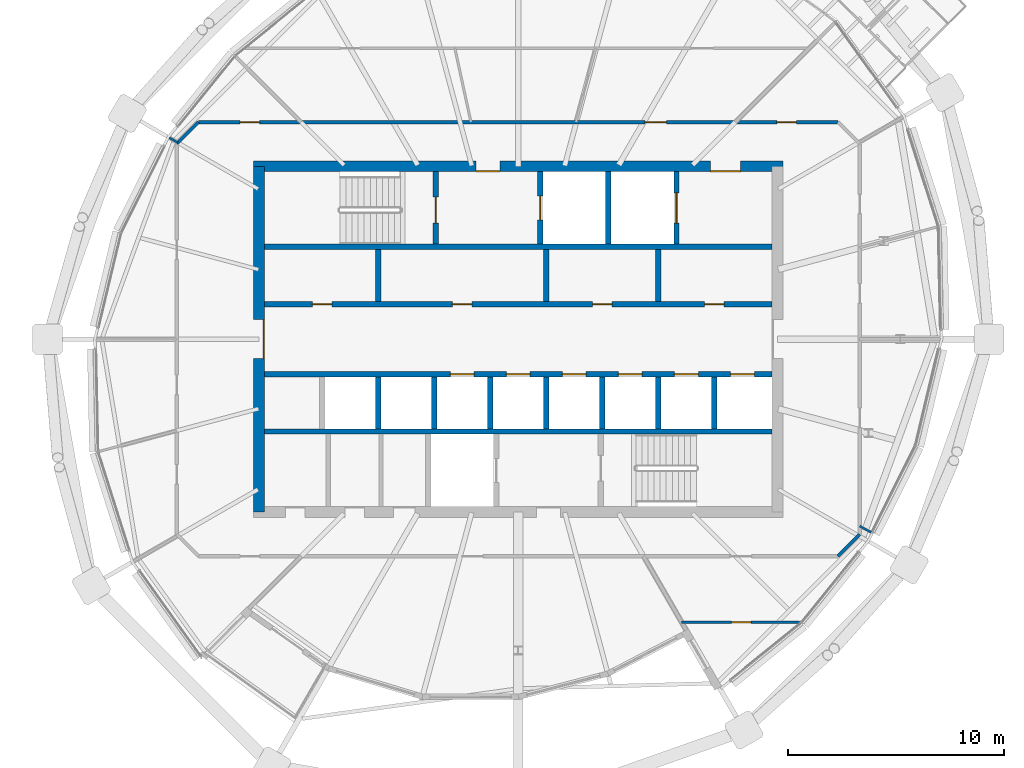
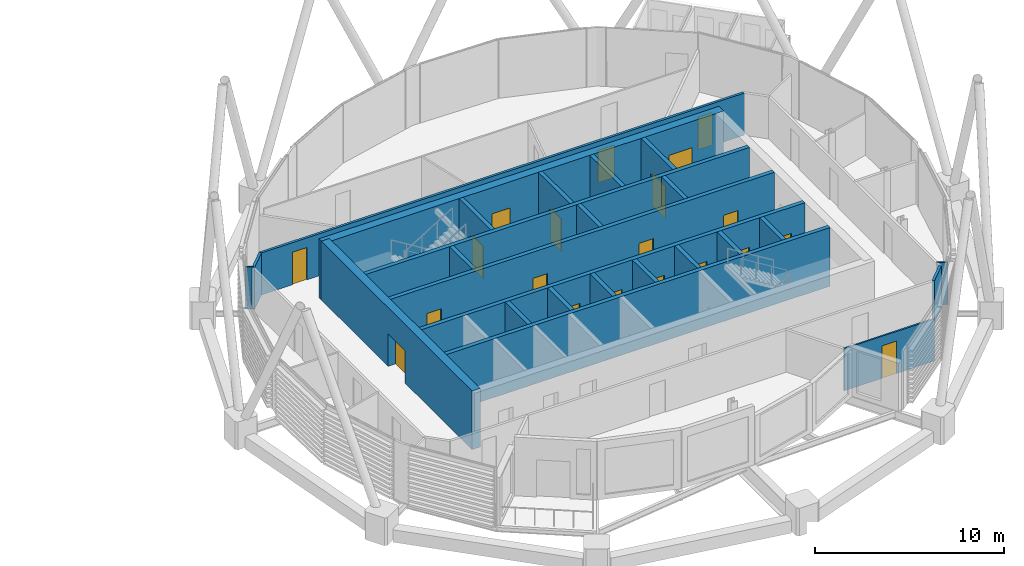
# One storey, part 25 of 34: 26 walls, 20 doors, 20 openings.
"""IFC4 building model written with IfcOpenShell, lengths in metres."""

from ifc_helpers import new_model, si_unit, direction, frame, frame_2d, origin, place, context, subcontext, project, spatial, rectangle, extrude, material, layer, layer_set, type_object, element, fill, save


model = new_model("IFC4")

# Units and contexts
model_context = context("Model", 3, precision=1e-05, world=origin(), true_north=direction((0.0, 1.0)))
body_context = subcontext(model_context, "Body", "Model", "MODEL_VIEW")
ifc_project = project(units=[si_unit("LENGTHUNIT", "METRE"), si_unit("AREAUNIT", "SQUARE_METRE"), si_unit("VOLUMEUNIT", "CUBIC_METRE"), si_unit("PLANEANGLEUNIT", "RADIAN"), si_unit("MASSUNIT", "GRAM", prefix="KILO")], contexts=[model_context])

# Site, building, storey
site_placement = place(None, origin())
site = spatial("IfcSite", under=ifc_project, at=site_placement, CompositionType="ELEMENT")
building_placement = place(site_placement, origin())
building = spatial("IfcBuilding", under=site, at=building_placement, Name="Rimbun Link Towers", CompositionType="ELEMENT")
storey_placement = place(building_placement, frame((0.0, 0.0, 221.89990234375)))
storey = spatial("IfcBuildingStorey", under=building, at=storey_placement, Name="L54", CompositionType="ELEMENT", Elevation=221.89990234375)

# Wall, openings, doors
ifc_material_1 = material(Name="Concrete C60/75", Category="concrete")
ifc_layer_1 = layer(ifc_material_1, 0.5)
ifc_layer_set_1 = layer_set([ifc_layer_1], Name="Core shear wall 500")
wall_type_1 = type_object("IfcWallType", Name="Core shear wall 500", PredefinedType="SHEAR", material=ifc_layer_set_1)
wall_1_placement = place(storey_placement, frame((19.5, 8.0, 0.0), z_axis=(0.0, 0.0, 1.0), x_axis=(1.0, 0.0, 0.0)))
wall_1 = element("IfcWall", 1, at=wall_1_placement, inside=storey, type_object=wall_type_1, Name="L54 T2 core wall N", PredefinedType="SHEAR", context=body_context, shape_type="SweptSolid", body=[
    extrude(rectangle(XDim=24.5, YDim=0.5, at=frame_2d((12.25, 0.0))), origin(), (0.0, 0.0, 1.0), 3.800048828125),
])
opening_1_placement = place(wall_1_placement, frame((10.300048828125, 0.0, 0.0)))
opening_1 = element("IfcOpeningElement", 2, at=opening_1_placement, cuts=wall_1, Name="Opening C2DCF01N", PredefinedType="OPENING", context=body_context, shape_type="SweptSolid", body=[
    extrude(rectangle(XDim=1.10009765625, YDim=2.10009765625, at=frame_2d((0.550048828125, 1.050048828125))), frame((0.0, 0.260009765625, 0.0), z_axis=(0.0, -1.0, 0.0), x_axis=(1.0, 0.0, 0.0)), (0.0, 0.0, 1.0), 0.52001953125),
])
opening_2_placement = place(wall_1_placement, frame((21.14990234375, 0.0, 0.0)))
opening_2 = element("IfcOpeningElement", 3, at=opening_2_placement, cuts=wall_1, Name="Opening C2DSL02N", PredefinedType="OPENING", context=body_context, shape_type="SweptSolid", body=[
    extrude(rectangle(XDim=1.39990234375, YDim=2.10009765625, at=frame_2d((0.699951171875, 1.050048828125))), frame((0.0, 0.260009765625, 0.0), z_axis=(0.0, -1.0, 0.0), x_axis=(1.0, 0.0, 0.0)), (0.0, 0.0, 1.0), 0.52001953125),
])
ifc_material_2 = material(Name="Steel fire door set", Category="steel")
door_type_1 = type_object("IfcDoorType", Name="Core fire door single", OperationType="SINGLE_SWING_LEFT", PredefinedType="DOOR", material=ifc_material_2)
door_1_placement = place(opening_1_placement, origin())
door_1 = element("IfcDoor", 4, at=door_1_placement, inside=storey, type_object=door_type_1, Name="L54 T2 firefighting lobby n door", OperationType="SINGLE_SWING_LEFT", OverallHeight=2.10009765625, OverallWidth=1.10009765625, PredefinedType="DOOR", context=body_context, shape_type="SweptSolid", body=[
    extrude(rectangle(XDim=1.10009765625, YDim=2.10009765625, at=frame_2d((0.550048828125, 1.050048828125))), frame((0.0, -0.2001953125, 0.0), z_axis=(0.0, -1.0, 0.0), x_axis=(1.0, 0.0, 0.0)), (0.0, 0.0, 1.0), 0.050048828125),
])
fill(opening_1, door_1)
ifc_material_3 = material(Name="Steel fire door set", Category="steel")
door_type_2 = type_object("IfcDoorType", Name="Service lobby door double", OperationType="DOUBLE_DOOR_SINGLE_SWING", PredefinedType="DOOR", material=ifc_material_3)
door_2_placement = place(opening_2_placement, origin())
door_2 = element("IfcDoor", 5, at=door_2_placement, inside=storey, type_object=door_type_2, Name="L54 T2 service lobby door", OperationType="DOUBLE_DOOR_SINGLE_SWING", OverallHeight=2.10009765625, OverallWidth=1.39990234375, PredefinedType="DOOR", context=body_context, shape_type="SweptSolid", body=[
    extrude(rectangle(XDim=1.39990234375, YDim=2.10009765625, at=frame_2d((0.699951171875, 1.050048828125))), frame((0.0, -0.2001953125, 0.0), z_axis=(0.0, -1.0, 0.0), x_axis=(1.0, 0.0, 0.0)), (0.0, 0.0, 1.0), 0.050048828125),
])
fill(opening_2, door_2)

# Wall, opening, door
wall_2_placement = place(storey_placement, frame((19.75, -8.0, 0.0), z_axis=(0.0, 0.0, 1.0), x_axis=(0.0, 1.0, 0.0)))
wall_2 = element("IfcWall", 6, at=wall_2_placement, inside=storey, type_object=wall_type_1, Name="L54 T2 core wall W", PredefinedType="SHEAR", context=body_context, shape_type="SweptSolid", body=[
    extrude(rectangle(XDim=16.0, YDim=0.5, at=frame_2d((8.0, 0.0))), origin(), (0.0, 0.0, 1.0), 3.800048828125),
])
opening_3_placement = place(wall_2_placement, frame((7.10009765625, 0.0, 0.0)))
opening_3 = element("IfcOpeningElement", 7, at=opening_3_placement, cuts=wall_2, Name="Opening C2DCL01W", PredefinedType="OPENING", context=body_context, shape_type="SweptSolid", body=[
    extrude(rectangle(XDim=1.800048828125, YDim=2.10009765625, at=frame_2d((0.89990234375, 1.050048828125))), frame((0.0, 0.260009765625, 0.0), z_axis=(0.0, -1.0, 0.0), x_axis=(1.0, 0.0, 0.0)), (0.0, 0.0, 1.0), 0.52001953125),
])
ifc_material_4 = material(Name="Steel fire door set", Category="steel")
door_type_3 = type_object("IfcDoorType", Name="Core lobby door double", OperationType="DOUBLE_DOOR_SINGLE_SWING", PredefinedType="DOOR", material=ifc_material_4)
door_3_placement = place(opening_3_placement, origin())
door_3 = element("IfcDoor", 8, at=door_3_placement, inside=storey, type_object=door_type_3, Name="L54 T2 lift lobby door", OperationType="DOUBLE_DOOR_SINGLE_SWING", OverallHeight=2.10009765625, OverallWidth=1.800048828125, PredefinedType="DOOR", context=body_context, shape_type="SweptSolid", body=[
    extrude(rectangle(XDim=1.800048828125, YDim=2.10009765625, at=frame_2d((0.89990234375, 1.050048828125))), frame((0.0, -0.2001953125, 0.0), z_axis=(0.0, -1.0, 0.0), x_axis=(1.0, 0.0, 0.0)), (0.0, 0.0, 1.0), 0.050048828125),
])
fill(opening_3, door_3)

# Wall, openings, doors
ifc_material_5 = material(Name="Plasterboard on steel stud, mineral wool", Category="steel")
ifc_layer_2 = layer(ifc_material_5, 0.14990234375)
ifc_layer_set_2 = layer_set([ifc_layer_2], Name="Corridor wall EI 30 150 mm")
wall_type_2 = type_object("IfcWallType", Name="Corridor wall EI 30 150 mm", PredefinedType="PARTITIONING", material=ifc_layer_set_2)
wall_3_placement = place(storey_placement, frame((16.9462890625, 10.044921875, 0.0), z_axis=(0.0, 0.0, 1.0), x_axis=(1.0, 0.0, 0.0)))
wall_3 = element("IfcWall", 9, at=wall_3_placement, inside=storey, type_object=wall_type_2, Name="Corridor wall EI 30 150 mm", PredefinedType="PARTITIONING", context=body_context, shape_type="SweptSolid", body=[
    extrude(rectangle(XDim=29.607421875, YDim=0.14990234375, at=frame_2d((14.8037109375, 0.0))), origin(), (0.0, 0.0, 1.0), 2.72216796875),
])
opening_4_placement = place(wall_3_placement, frame((26.778076171875, 0.0, 0.0)))
opening_4 = element("IfcOpeningElement", 10, at=opening_4_placement, cuts=wall_3, Name="Opening D02", PredefinedType="OPENING", context=body_context, shape_type="SweptSolid", body=[
    extrude(rectangle(XDim=0.89990234375, YDim=2.10009765625, at=frame_2d((0.449951171875, 1.050048828125))), frame((0.0, 0.0849609375, 0.0), z_axis=(0.0, -1.0, 0.0), x_axis=(1.0, 0.0, 0.0)), (0.0, 0.0, 1.0), 0.169921875),
])
opening_5_placement = place(wall_3_placement, frame((20.66455078125, 0.0, 0.0)))
opening_5 = element("IfcOpeningElement", 11, at=opening_5_placement, cuts=wall_3, Name="Opening D01", PredefinedType="OPENING", context=body_context, shape_type="SweptSolid", body=[
    extrude(rectangle(XDim=1.0, YDim=2.10009765625, at=frame_2d((0.5, 1.050048828125))), frame((0.0, 0.0849609375, 0.0), z_axis=(0.0, -1.0, 0.0), x_axis=(1.0, 0.0, 0.0)), (0.0, 0.0, 1.0), 0.169921875),
])
opening_6_placement = place(wall_3_placement, frame((1.92919921875, 0.0, 0.0)))
opening_6 = element("IfcOpeningElement", 12, at=opening_6_placement, cuts=wall_3, Name="Opening D02", PredefinedType="OPENING", context=body_context, shape_type="SweptSolid", body=[
    extrude(rectangle(XDim=0.89990234375, YDim=2.10009765625, at=frame_2d((0.449951171875, 1.050048828125))), frame((0.0, 0.0849609375, 0.0), z_axis=(0.0, -1.0, 0.0), x_axis=(1.0, 0.0, 0.0)), (0.0, 0.0, 1.0), 0.169921875),
])
ifc_material_6 = material(Name="Fire-resisting timber door leaf", Category="wood")
door_type_4 = type_object("IfcDoorType", Name="Fire door FD30S 1000", OperationType="NOTDEFINED", PredefinedType="DOOR", material=ifc_material_6)
door_4_placement = place(opening_5_placement, origin())
door_4 = element("IfcDoor", 13, at=door_4_placement, inside=storey, type_object=door_type_4, Name="Fire door FD30S 1000 to Reception", OperationType="SINGLE_SWING_LEFT", OverallHeight=2.10009765625, OverallWidth=1.0, PredefinedType="DOOR", context=body_context, shape_type="SweptSolid", body=[
    extrude(rectangle(XDim=1.0, YDim=2.10009765625, at=frame_2d((0.5, 1.050048828125))), frame((0.0, 0.02490234375, 0.0), z_axis=(0.0, -1.0, 0.0), x_axis=(1.0, 0.0, 0.0)), (0.0, 0.0, 1.0), 0.050048828125),
])
fill(opening_5, door_4)
ifc_material_7 = material(Name="Fire-resisting timber door leaf", Category="wood")
door_type_5 = type_object("IfcDoorType", Name="Fire door FD30S 900", OperationType="NOTDEFINED", PredefinedType="DOOR", material=ifc_material_7)
door_5_placement = place(opening_4_placement, origin())
door_5 = element("IfcDoor", 14, at=door_5_placement, inside=storey, type_object=door_type_5, Name="Fire door FD30S 900 to Meeting room", OperationType="SINGLE_SWING_RIGHT", OverallHeight=2.10009765625, OverallWidth=0.89990234375, PredefinedType="DOOR", context=body_context, shape_type="SweptSolid", body=[
    extrude(rectangle(XDim=0.89990234375, YDim=2.10009765625, at=frame_2d((0.449951171875, 1.050048828125))), frame((0.0, 0.02490234375, 0.0), z_axis=(0.0, -1.0, 0.0), x_axis=(1.0, 0.0, 0.0)), (0.0, 0.0, 1.0), 0.050048828125),
])
fill(opening_4, door_5)
door_6_placement = place(opening_6_placement, origin())
door_6 = element("IfcDoor", 15, at=door_6_placement, inside=storey, type_object=door_type_5, Name="Fire door FD30S 900 to Meeting room", OperationType="SINGLE_SWING_RIGHT", OverallHeight=2.10009765625, OverallWidth=0.89990234375, PredefinedType="DOOR", context=body_context, shape_type="SweptSolid", body=[
    extrude(rectangle(XDim=0.89990234375, YDim=2.10009765625, at=frame_2d((0.449951171875, 1.050048828125))), frame((0.0, 0.02490234375, 0.0), z_axis=(0.0, -1.0, 0.0), x_axis=(1.0, 0.0, 0.0)), (0.0, 0.0, 1.0), 0.050048828125),
])
fill(opening_6, door_6)

# Walls
for number, where, z_axis, x_axis, name in (
    (16, (46.5537109375, -10.044921875, 0.0), (0.0, 0.0, 1.0), (0.707106781187, 0.707106781187, 0.0), "Corridor wall EI 30 150 mm"),
    (17, (16.9462890625, 10.044921875, 0.0), (0.0, 0.0, 1.0), (-0.707106781187, -0.707106781187, 0.0), "Corridor wall EI 30 150 mm"),
):
    element("IfcWall", number, at=place(storey_placement, frame(where, z_axis=z_axis, x_axis=x_axis)), inside=storey, type_object=wall_type_2, Name=name, PredefinedType="PARTITIONING", context=body_context, shape_type="SweptSolid", body=[
        extrude(rectangle(XDim=1.416015625, YDim=0.14990234375, at=frame_2d((0.7080078125, 0.0))), origin(), (0.0, 0.0, 1.0), 2.72216796875),
    ])
ifc_material_8 = material(Name="Plasterboard on steel stud", Category="steel")
ifc_layer_3 = layer(ifc_material_8, 0.10009765625)
ifc_layer_set_3 = layer_set([ifc_layer_3], Name="Plasterboard partition 100 mm")
wall_type_3 = type_object("IfcWallType", Name="Plasterboard partition 100 mm", PredefinedType="PARTITIONING", material=ifc_layer_set_3)
wall_4_placement = place(storey_placement, frame((48.089111328125, -8.945068359375, 0.0), z_axis=(0.0, 0.0, 1.0), x_axis=(-0.877128434288, 0.480255879468, 0.0)))
element("IfcWall", 18, at=wall_4_placement, inside=storey, type_object=wall_type_3, Name="Plasterboard partition 100 mm", PredefinedType="PARTITIONING", context=body_context, shape_type="SweptSolid", body=[
    extrude(rectangle(XDim=0.609130859375, YDim=0.10009765625, at=frame_2d((0.3046875, 0.0))), origin(), (0.0, 0.0, 1.0), 2.72216796875),
])

# Wall, opening, door
wall_5_placement = place(storey_placement, frame((44.83447265625, -13.10498046875, 0.0), z_axis=(0.0, 0.0, 1.0), x_axis=(-1.0, 0.0, 0.0)))
wall_5 = element("IfcWall", 19, at=wall_5_placement, inside=storey, type_object=wall_type_3, Name="Plasterboard partition 100 mm", PredefinedType="PARTITIONING", context=body_context, shape_type="SweptSolid", body=[
    extrude(rectangle(XDim=5.518310546875, YDim=0.10009765625, at=frame_2d((2.75927734375, 0.0))), origin(), (0.0, 0.0, 1.0), 2.72216796875),
])
opening_7_placement = place(wall_5_placement, frame((2.30908203125, 0.0, 0.0)))
opening_7 = element("IfcOpeningElement", 20, at=opening_7_placement, cuts=wall_5, Name="Opening D04", PredefinedType="OPENING", context=body_context, shape_type="SweptSolid", body=[
    extrude(rectangle(XDim=0.89990234375, YDim=2.10009765625, at=frame_2d((0.449951171875, 1.050048828125))), frame((0.0, 0.06005859375, 0.0), z_axis=(0.0, -1.0, 0.0), x_axis=(1.0, 0.0, 0.0)), (0.0, 0.0, 1.0), 0.1201171875),
])
ifc_material_9 = material(Name="Timber door leaf", Category="wood")
door_type_6 = type_object("IfcDoorType", Name="Flush door 900", OperationType="NOTDEFINED", PredefinedType="DOOR", material=ifc_material_9)
door_7_placement = place(opening_7_placement, origin())
door_7 = element("IfcDoor", 21, at=door_7_placement, inside=storey, type_object=door_type_6, Name="Flush door 900 to Executive office", OperationType="SINGLE_SWING_RIGHT", OverallHeight=2.10009765625, OverallWidth=0.89990234375, PredefinedType="DOOR", context=body_context, shape_type="SweptSolid", body=[
    extrude(rectangle(XDim=0.89990234375, YDim=2.10009765625, at=frame_2d((0.449951171875, 1.050048828125))), frame((0.0, 0.02490234375, 0.0), z_axis=(0.0, -1.0, 0.0), x_axis=(1.0, 0.0, 0.0)), (0.0, 0.0, 1.0), 0.050048828125),
])
fill(opening_7, door_7)

# Walls
wall_6_placement = place(storey_placement, frame((15.600830078125, 9.32373046875, 0.0), z_axis=(0.0, 0.0, 1.0), x_axis=(0.865998750002, -0.500046162864, 0.0)))
element("IfcWall", 22, at=wall_6_placement, inside=storey, type_object=wall_type_3, Name="Plasterboard partition 100 mm", PredefinedType="PARTITIONING", context=body_context, shape_type="SweptSolid", body=[
    extrude(rectangle(XDim=0.45703125, YDim=0.10009765625, at=frame_2d((0.228515625, 0.0))), origin(), (0.0, 0.0, 1.0), 2.72216796875),
])
ifc_material_10 = material(Name="Concrete C60/75", Category="concrete")
ifc_layer_4 = layer(ifc_material_10, 0.25)
ifc_layer_set_4 = layer_set([ifc_layer_4], Name="Shaft wall 250")
wall_type_4 = type_object("IfcWallType", Name="Shaft wall 250", PredefinedType="SHEAR", material=ifc_layer_set_4)
for number, where, z_axis, x_axis, name in (
    (23, (20.0, 4.27490234375, 0.0), (0.0, 0.0, 1.0), (1.0, 0.0, 0.0), "L54 T2 core wall BN"),
    (24, (20.0, -4.27490234375, 0.0), (0.0, 0.0, 1.0), (1.0, 0.0, 0.0), "L54 T2 core wall BS"),
):
    element("IfcWall", number, at=place(storey_placement, frame(where, z_axis=z_axis, x_axis=x_axis)), inside=storey, type_object=wall_type_4, Name=name, PredefinedType="SHEAR", context=body_context, shape_type="SweptSolid", body=[
        extrude(rectangle(XDim=23.5, YDim=0.25, at=frame_2d((11.75, 0.0))), origin(), (0.0, 0.0, 1.0), 3.800048828125),
    ])

# Wall, openings, doors
wall_7_placement = place(storey_placement, frame((20.0, 1.625, 0.0), z_axis=(0.0, 0.0, 1.0), x_axis=(1.0, 0.0, 0.0)))
wall_7 = element("IfcWall", 25, at=wall_7_placement, inside=storey, type_object=wall_type_4, Name="L54 T2 core wall FN", PredefinedType="SHEAR", context=body_context, shape_type="SweptSolid", body=[
    extrude(rectangle(XDim=23.5, YDim=0.25, at=frame_2d((11.75, 0.0))), origin(), (0.0, 0.0, 1.0), 3.800048828125),
])
opening_8_placement = place(wall_7_placement, frame((2.219482421875, 0.0, 0.0)))
opening_8 = element("IfcOpeningElement", 26, at=opening_8_placement, cuts=wall_7, Name="Opening C2DRS01FN", PredefinedType="OPENING", context=body_context, shape_type="SweptSolid", body=[
    extrude(rectangle(XDim=0.89990234375, YDim=2.10009765625, at=frame_2d((0.449951171875, 1.050048828125))), frame((0.0, 0.135009765625, 0.0), z_axis=(0.0, -1.0, 0.0), x_axis=(1.0, 0.0, 0.0)), (0.0, 0.0, 1.0), 0.27001953125),
])
opening_9_placement = place(wall_7_placement, frame((8.70556640625, 0.0, 0.0)))
opening_9 = element("IfcOpeningElement", 27, at=opening_9_placement, cuts=wall_7, Name="Opening C2DRS02FN", PredefinedType="OPENING", context=body_context, shape_type="SweptSolid", body=[
    extrude(rectangle(XDim=0.89990234375, YDim=2.10009765625, at=frame_2d((0.449951171875, 1.050048828125))), frame((0.0, 0.135009765625, 0.0), z_axis=(0.0, -1.0, 0.0), x_axis=(1.0, 0.0, 0.0)), (0.0, 0.0, 1.0), 0.27001953125),
])
opening_10_placement = place(wall_7_placement, frame((15.191650390625, 0.0, 0.0)))
opening_10 = element("IfcOpeningElement", 28, at=opening_10_placement, cuts=wall_7, Name="Opening C2DRS03FN", PredefinedType="OPENING", context=body_context, shape_type="SweptSolid", body=[
    extrude(rectangle(XDim=0.89990234375, YDim=2.10009765625, at=frame_2d((0.449951171875, 1.050048828125))), frame((0.0, 0.135009765625, 0.0), z_axis=(0.0, -1.0, 0.0), x_axis=(1.0, 0.0, 0.0)), (0.0, 0.0, 1.0), 0.27001953125),
])
opening_11_placement = place(wall_7_placement, frame((20.380615234375, 0.0, 0.0)))
opening_11 = element("IfcOpeningElement", 29, at=opening_11_placement, cuts=wall_7, Name="Opening C2DRS04FN", PredefinedType="OPENING", context=body_context, shape_type="SweptSolid", body=[
    extrude(rectangle(XDim=0.89990234375, YDim=2.10009765625, at=frame_2d((0.449951171875, 1.050048828125))), frame((0.0, 0.135009765625, 0.0), z_axis=(0.0, -1.0, 0.0), x_axis=(1.0, 0.0, 0.0)), (0.0, 0.0, 1.0), 0.27001953125),
])
ifc_material_11 = material(Name="Steel fire door set", Category="steel")
door_type_7 = type_object("IfcDoorType", Name="Core riser door", OperationType="SINGLE_SWING_LEFT", PredefinedType="DOOR", material=ifc_material_11)
door_8_placement = place(opening_8_placement, origin())
door_8 = element("IfcDoor", 30, at=door_8_placement, inside=storey, type_object=door_type_7, Name="L54 T2 first aid room door", OperationType="SINGLE_SWING_RIGHT", OverallHeight=2.10009765625, OverallWidth=0.89990234375, PredefinedType="DOOR", context=body_context, shape_type="SweptSolid", body=[
    extrude(rectangle(XDim=0.89990234375, YDim=2.10009765625, at=frame_2d((0.449951171875, 1.050048828125))), frame((0.0, 0.02490234375, 0.0), z_axis=(0.0, -1.0, 0.0), x_axis=(1.0, 0.0, 0.0)), (0.0, 0.0, 1.0), 0.050048828125),
])
fill(opening_8, door_8)
door_9_placement = place(opening_9_placement, origin())
door_9 = element("IfcDoor", 31, at=door_9_placement, inside=storey, type_object=door_type_7, Name="L54 T2 plant room door", OperationType="SINGLE_SWING_LEFT", OverallHeight=2.10009765625, OverallWidth=0.89990234375, PredefinedType="DOOR", context=body_context, shape_type="SweptSolid", body=[
    extrude(rectangle(XDim=0.89990234375, YDim=2.10009765625, at=frame_2d((0.449951171875, 1.050048828125))), frame((0.0, 0.02490234375, 0.0), z_axis=(0.0, -1.0, 0.0), x_axis=(1.0, 0.0, 0.0)), (0.0, 0.0, 1.0), 0.050048828125),
])
fill(opening_9, door_9)
door_10_placement = place(opening_10_placement, origin())
door_10 = element("IfcDoor", 32, at=door_10_placement, inside=storey, type_object=door_type_7, Name="L54 T2 archive store door", OperationType="SINGLE_SWING_LEFT", OverallHeight=2.10009765625, OverallWidth=0.89990234375, PredefinedType="DOOR", context=body_context, shape_type="SweptSolid", body=[
    extrude(rectangle(XDim=0.89990234375, YDim=2.10009765625, at=frame_2d((0.449951171875, 1.050048828125))), frame((0.0, 0.02490234375, 0.0), z_axis=(0.0, -1.0, 0.0), x_axis=(1.0, 0.0, 0.0)), (0.0, 0.0, 1.0), 0.050048828125),
])
fill(opening_10, door_10)
door_11_placement = place(opening_11_placement, origin())
door_11 = element("IfcDoor", 33, at=door_11_placement, inside=storey, type_object=door_type_7, Name="L54 T2 pantry door", OperationType="SINGLE_SWING_LEFT", OverallHeight=2.10009765625, OverallWidth=0.89990234375, PredefinedType="DOOR", context=body_context, shape_type="SweptSolid", body=[
    extrude(rectangle(XDim=0.89990234375, YDim=2.10009765625, at=frame_2d((0.449951171875, 1.050048828125))), frame((0.0, 0.02490234375, 0.0), z_axis=(0.0, -1.0, 0.0), x_axis=(1.0, 0.0, 0.0)), (0.0, 0.0, 1.0), 0.050048828125),
])
fill(opening_11, door_11)

wall_8_placement = place(storey_placement, frame((20.0, -1.625, 0.0), z_axis=(0.0, 0.0, 1.0), x_axis=(1.0, 0.0, 0.0)))
wall_8 = element("IfcWall", 34, at=wall_8_placement, inside=storey, type_object=wall_type_4, Name="L54 T2 core wall FS", PredefinedType="SHEAR", context=body_context, shape_type="SweptSolid", body=[
    extrude(rectangle(XDim=23.5, YDim=0.25, at=frame_2d((11.75, 0.0))), origin(), (0.0, 0.0, 1.0), 3.800048828125),
])
opening_12_placement = place(wall_8_placement, frame((8.605712890625, 0.0, 0.0)))
opening_12 = element("IfcOpeningElement", 35, at=opening_12_placement, cuts=wall_8, Name="Opening LD-T2-HR1", PredefinedType="OPENING", context=body_context, shape_type="SweptSolid", body=[
    extrude(rectangle(XDim=1.10009765625, YDim=2.10009765625, at=frame_2d((0.550048828125, 1.050048828125))), frame((0.0, 0.135009765625, 0.0), z_axis=(0.0, -1.0, 0.0), x_axis=(1.0, 0.0, 0.0)), (0.0, 0.0, 1.0), 0.27001953125),
])
opening_13_placement = place(wall_8_placement, frame((11.199951171875, 0.0, 0.0)))
opening_13 = element("IfcOpeningElement", 36, at=opening_13_placement, cuts=wall_8, Name="Opening LD-T2-HR2", PredefinedType="OPENING", context=body_context, shape_type="SweptSolid", body=[
    extrude(rectangle(XDim=1.10009765625, YDim=2.10009765625, at=frame_2d((0.550048828125, 1.050048828125))), frame((0.0, 0.135009765625, 0.0), z_axis=(0.0, -1.0, 0.0), x_axis=(1.0, 0.0, 0.0)), (0.0, 0.0, 1.0), 0.27001953125),
])
opening_14_placement = place(wall_8_placement, frame((13.79443359375, 0.0, 0.0)))
opening_14 = element("IfcOpeningElement", 37, at=opening_14_placement, cuts=wall_8, Name="Opening LD-T2-HR3", PredefinedType="OPENING", context=body_context, shape_type="SweptSolid", body=[
    extrude(rectangle(XDim=1.10009765625, YDim=2.10009765625, at=frame_2d((0.550048828125, 1.050048828125))), frame((0.0, 0.135009765625, 0.0), z_axis=(0.0, -1.0, 0.0), x_axis=(1.0, 0.0, 0.0)), (0.0, 0.0, 1.0), 0.27001953125),
])
opening_15_placement = place(wall_8_placement, frame((16.388916015625, 0.0, 0.0)))
opening_15 = element("IfcOpeningElement", 38, at=opening_15_placement, cuts=wall_8, Name="Opening LD-T2-HR4", PredefinedType="OPENING", context=body_context, shape_type="SweptSolid", body=[
    extrude(rectangle(XDim=1.10009765625, YDim=2.10009765625, at=frame_2d((0.550048828125, 1.050048828125))), frame((0.0, 0.135009765625, 0.0), z_axis=(0.0, -1.0, 0.0), x_axis=(1.0, 0.0, 0.0)), (0.0, 0.0, 1.0), 0.27001953125),
])
opening_16_placement = place(wall_8_placement, frame((18.9833984375, 0.0, 0.0)))
opening_16 = element("IfcOpeningElement", 39, at=opening_16_placement, cuts=wall_8, Name="Opening LD-T2-HR5", PredefinedType="OPENING", context=body_context, shape_type="SweptSolid", body=[
    extrude(rectangle(XDim=1.10009765625, YDim=2.10009765625, at=frame_2d((0.550048828125, 1.050048828125))), frame((0.0, 0.135009765625, 0.0), z_axis=(0.0, -1.0, 0.0), x_axis=(1.0, 0.0, 0.0)), (0.0, 0.0, 1.0), 0.27001953125),
])
opening_17_placement = place(wall_8_placement, frame((21.577880859375, 0.0, 0.0)))
opening_17 = element("IfcOpeningElement", 40, at=opening_17_placement, cuts=wall_8, Name="Opening LD-T2-HR6", PredefinedType="OPENING", context=body_context, shape_type="SweptSolid", body=[
    extrude(rectangle(XDim=1.10009765625, YDim=2.10009765625, at=frame_2d((0.550048828125, 1.050048828125))), frame((0.0, 0.135009765625, 0.0), z_axis=(0.0, -1.0, 0.0), x_axis=(1.0, 0.0, 0.0)), (0.0, 0.0, 1.0), 0.27001953125),
])
ifc_material_12 = material(Name="Stainless steel grade 316", Category="steel")
door_type_8 = type_object("IfcDoorType", Name="Lift landing door", OperationType="DOUBLE_DOOR_SLIDING", PredefinedType="DOOR", material=ifc_material_12)
door_12_placement = place(opening_12_placement, origin())
door_12 = element("IfcDoor", 41, at=door_12_placement, inside=storey, type_object=door_type_8, Name="L54 T2 lift HR1 landing door", OperationType="DOUBLE_DOOR_SLIDING", OverallHeight=2.10009765625, OverallWidth=1.10009765625, PredefinedType="DOOR", context=body_context, shape_type="SweptSolid", body=[
    extrude(rectangle(XDim=1.10009765625, YDim=2.10009765625, at=frame_2d((0.550048828125, 1.050048828125))), frame((0.0, 0.02490234375, 0.0), z_axis=(0.0, -1.0, 0.0), x_axis=(1.0, 0.0, 0.0)), (0.0, 0.0, 1.0), 0.050048828125),
])
fill(opening_12, door_12)
door_13_placement = place(opening_13_placement, origin())
door_13 = element("IfcDoor", 42, at=door_13_placement, inside=storey, type_object=door_type_8, Name="L54 T2 lift HR2 landing door", OperationType="DOUBLE_DOOR_SLIDING", OverallHeight=2.10009765625, OverallWidth=1.10009765625, PredefinedType="DOOR", context=body_context, shape_type="SweptSolid", body=[
    extrude(rectangle(XDim=1.10009765625, YDim=2.10009765625, at=frame_2d((0.550048828125, 1.050048828125))), frame((0.0, 0.02490234375, 0.0), z_axis=(0.0, -1.0, 0.0), x_axis=(1.0, 0.0, 0.0)), (0.0, 0.0, 1.0), 0.050048828125),
])
fill(opening_13, door_13)
door_14_placement = place(opening_14_placement, origin())
door_14 = element("IfcDoor", 43, at=door_14_placement, inside=storey, type_object=door_type_8, Name="L54 T2 lift HR3 landing door", OperationType="DOUBLE_DOOR_SLIDING", OverallHeight=2.10009765625, OverallWidth=1.10009765625, PredefinedType="DOOR", context=body_context, shape_type="SweptSolid", body=[
    extrude(rectangle(XDim=1.10009765625, YDim=2.10009765625, at=frame_2d((0.550048828125, 1.050048828125))), frame((0.0, 0.02490234375, 0.0), z_axis=(0.0, -1.0, 0.0), x_axis=(1.0, 0.0, 0.0)), (0.0, 0.0, 1.0), 0.050048828125),
])
fill(opening_14, door_14)
door_15_placement = place(opening_15_placement, origin())
door_15 = element("IfcDoor", 44, at=door_15_placement, inside=storey, type_object=door_type_8, Name="L54 T2 lift HR4 landing door", OperationType="DOUBLE_DOOR_SLIDING", OverallHeight=2.10009765625, OverallWidth=1.10009765625, PredefinedType="DOOR", context=body_context, shape_type="SweptSolid", body=[
    extrude(rectangle(XDim=1.10009765625, YDim=2.10009765625, at=frame_2d((0.550048828125, 1.050048828125))), frame((0.0, 0.02490234375, 0.0), z_axis=(0.0, -1.0, 0.0), x_axis=(1.0, 0.0, 0.0)), (0.0, 0.0, 1.0), 0.050048828125),
])
fill(opening_15, door_15)
door_16_placement = place(opening_16_placement, origin())
door_16 = element("IfcDoor", 45, at=door_16_placement, inside=storey, type_object=door_type_8, Name="L54 T2 lift HR5 landing door", OperationType="DOUBLE_DOOR_SLIDING", OverallHeight=2.10009765625, OverallWidth=1.10009765625, PredefinedType="DOOR", context=body_context, shape_type="SweptSolid", body=[
    extrude(rectangle(XDim=1.10009765625, YDim=2.10009765625, at=frame_2d((0.550048828125, 1.050048828125))), frame((0.0, 0.02490234375, 0.0), z_axis=(0.0, -1.0, 0.0), x_axis=(1.0, 0.0, 0.0)), (0.0, 0.0, 1.0), 0.050048828125),
])
fill(opening_16, door_16)
door_17_placement = place(opening_17_placement, origin())
door_17 = element("IfcDoor", 46, at=door_17_placement, inside=storey, type_object=door_type_8, Name="L54 T2 lift HR6 landing door", OperationType="DOUBLE_DOOR_SLIDING", OverallHeight=2.10009765625, OverallWidth=1.10009765625, PredefinedType="DOOR", context=body_context, shape_type="SweptSolid", body=[
    extrude(rectangle(XDim=1.10009765625, YDim=2.10009765625, at=frame_2d((0.550048828125, 1.050048828125))), frame((0.0, 0.02490234375, 0.0), z_axis=(0.0, -1.0, 0.0), x_axis=(1.0, 0.0, 0.0)), (0.0, 0.0, 1.0), 0.050048828125),
])
fill(opening_17, door_17)

# Walls
for number, where, z_axis, x_axis, name in (
    (47, (25.263916015625, 1.75, 0.0), (0.0, 0.0, 1.0), (0.0, 1.0, 0.0), "L54 T2 core wall DN1"),
    (48, (33.047119140625, 1.75, 0.0), (0.0, 0.0, 1.0), (0.0, 1.0, 0.0), "L54 T2 core wall DN4"),
    (49, (38.236083984375, 1.75, 0.0), (0.0, 0.0, 1.0), (0.0, 1.0, 0.0), "L54 T2 core wall DN6"),
    (50, (25.263916015625, -4.14990234375, 0.0), (0.0, 0.0, 1.0), (0.0, 1.0, 0.0), "L54 T2 core wall DS1"),
    (51, (27.8583984375, -4.14990234375, 0.0), (0.0, 0.0, 1.0), (0.0, 1.0, 0.0), "L54 T2 core wall DS2"),
    (52, (30.452880859375, -4.14990234375, 0.0), (0.0, 0.0, 1.0), (0.0, 1.0, 0.0), "L54 T2 core wall DS3"),
    (53, (33.047119140625, -4.14990234375, 0.0), (0.0, 0.0, 1.0), (0.0, 1.0, 0.0), "L54 T2 core wall DS4"),
    (54, (35.6416015625, -4.14990234375, 0.0), (0.0, 0.0, 1.0), (0.0, 1.0, 0.0), "L54 T2 core wall DS5"),
    (55, (38.236083984375, -4.14990234375, 0.0), (0.0, 0.0, 1.0), (0.0, 1.0, 0.0), "L54 T2 core wall DS6"),
    (56, (40.83056640625, -4.14990234375, 0.0), (0.0, 0.0, 1.0), (0.0, 1.0, 0.0), "L54 T2 core wall DS7"),
):
    element("IfcWall", number, at=place(storey_placement, frame(where, z_axis=z_axis, x_axis=x_axis)), inside=storey, type_object=wall_type_4, Name=name, PredefinedType="SHEAR", context=body_context, shape_type="SweptSolid", body=[
        extrude(rectangle(XDim=2.39990234375, YDim=0.25, at=frame_2d((1.199951171875, 0.0))), origin(), (0.0, 0.0, 1.0), 3.800048828125),
    ])

# Wall, opening, door
wall_9_placement = place(storey_placement, frame((27.925048828125, 4.39990234375, 0.0), z_axis=(0.0, 0.0, 1.0), x_axis=(0.0, 1.0, 0.0)))
wall_9 = element("IfcWall", 57, at=wall_9_placement, inside=storey, type_object=wall_type_4, Name="L54 T2 core wall A1", PredefinedType="SHEAR", context=body_context, shape_type="SweptSolid", body=[
    extrude(rectangle(XDim=3.35009765625, YDim=0.25, at=frame_2d((1.675048828125, 0.0))), origin(), (0.0, 0.0, 1.0), 3.800048828125),
])
opening_18_placement = place(wall_9_placement, frame((0.97509765625, 0.0, 0.0)))
opening_18 = element("IfcOpeningElement", 58, at=opening_18_placement, cuts=wall_9, Name="Opening C2DST01A1", PredefinedType="OPENING", context=body_context, shape_type="SweptSolid", body=[
    extrude(rectangle(XDim=1.199951171875, YDim=2.10009765625, at=frame_2d((0.60009765625, 1.050048828125))), frame((0.0, 0.135009765625, 0.0), z_axis=(0.0, -1.0, 0.0), x_axis=(1.0, 0.0, 0.0)), (0.0, 0.0, 1.0), 0.27001953125),
])
ifc_material_13 = material(Name="Steel fire door set", Category="steel")
door_type_9 = type_object("IfcDoorType", Name="Stair door", OperationType="SINGLE_SWING_LEFT", PredefinedType="DOOR", material=ifc_material_13)
door_18_placement = place(opening_18_placement, origin())
door_18 = element("IfcDoor", 59, at=door_18_placement, inside=storey, type_object=door_type_9, Name="L54 T2 stair a door", OperationType="SINGLE_SWING_LEFT", OverallHeight=2.10009765625, OverallWidth=1.199951171875, PredefinedType="DOOR", context=body_context, shape_type="SweptSolid", body=[
    extrude(rectangle(XDim=1.199951171875, YDim=2.10009765625, at=frame_2d((0.60009765625, 1.050048828125))), frame((0.0, 0.02490234375, 0.0), z_axis=(0.0, -1.0, 0.0), x_axis=(1.0, 0.0, 0.0)), (0.0, 0.0, 1.0), 0.050048828125),
])
fill(opening_18, door_18)

wall_10_placement = place(storey_placement, frame((32.77490234375, 4.39990234375, 0.0), z_axis=(0.0, 0.0, 1.0), x_axis=(0.0, 1.0, 0.0)))
wall_10 = element("IfcWall", 60, at=wall_10_placement, inside=storey, type_object=wall_type_4, Name="L54 T2 core wall A2", PredefinedType="SHEAR", context=body_context, shape_type="SweptSolid", body=[
    extrude(rectangle(XDim=3.35009765625, YDim=0.25, at=frame_2d((1.675048828125, 0.0))), origin(), (0.0, 0.0, 1.0), 3.800048828125),
])
opening_19_placement = place(wall_10_placement, frame((1.125, 0.0, 0.0)))
opening_19 = element("IfcOpeningElement", 61, at=opening_19_placement, cuts=wall_10, Name="Opening LD-T2-FF1", PredefinedType="OPENING", context=body_context, shape_type="SweptSolid", body=[
    extrude(rectangle(XDim=1.10009765625, YDim=2.10009765625, at=frame_2d((0.550048828125, 1.050048828125))), frame((0.0, 0.135009765625, 0.0), z_axis=(0.0, -1.0, 0.0), x_axis=(1.0, 0.0, 0.0)), (0.0, 0.0, 1.0), 0.27001953125),
])
door_19_placement = place(opening_19_placement, origin())
door_19 = element("IfcDoor", 62, at=door_19_placement, inside=storey, type_object=door_type_8, Name="L54 T2 lift FF1 landing door", OperationType="DOUBLE_DOOR_SLIDING", OverallHeight=2.10009765625, OverallWidth=1.10009765625, PredefinedType="DOOR", context=body_context, shape_type="SweptSolid", body=[
    extrude(rectangle(XDim=1.10009765625, YDim=2.10009765625, at=frame_2d((0.550048828125, 1.050048828125))), frame((0.0, 0.02490234375, 0.0), z_axis=(0.0, -1.0, 0.0), x_axis=(1.0, 0.0, 0.0)), (0.0, 0.0, 1.0), 0.050048828125),
])
fill(opening_19, door_19)

# Wall
wall_11_placement = place(storey_placement, frame((35.925048828125, 4.39990234375, 0.0), z_axis=(0.0, 0.0, 1.0), x_axis=(0.0, 1.0, 0.0)))
element("IfcWall", 63, at=wall_11_placement, inside=storey, type_object=wall_type_4, Name="L54 T2 core wall A3", PredefinedType="SHEAR", context=body_context, shape_type="SweptSolid", body=[
    extrude(rectangle(XDim=3.35009765625, YDim=0.25, at=frame_2d((1.675048828125, 0.0))), origin(), (0.0, 0.0, 1.0), 3.800048828125),
])

# Wall, opening, door
wall_12_placement = place(storey_placement, frame((39.074951171875, 4.39990234375, 0.0), z_axis=(0.0, 0.0, 1.0), x_axis=(0.0, 1.0, 0.0)))
wall_12 = element("IfcWall", 64, at=wall_12_placement, inside=storey, type_object=wall_type_4, Name="L54 T2 core wall A4", PredefinedType="SHEAR", context=body_context, shape_type="SweptSolid", body=[
    extrude(rectangle(XDim=3.35009765625, YDim=0.25, at=frame_2d((1.675048828125, 0.0))), origin(), (0.0, 0.0, 1.0), 3.800048828125),
])
opening_20_placement = place(wall_12_placement, frame((0.97509765625, 0.0, 0.0)))
opening_20 = element("IfcOpeningElement", 65, at=opening_20_placement, cuts=wall_12, Name="Opening LD-T2-GL1", PredefinedType="OPENING", context=body_context, shape_type="SweptSolid", body=[
    extrude(rectangle(XDim=1.39990234375, YDim=2.10009765625, at=frame_2d((0.699951171875, 1.050048828125))), frame((0.0, 0.135009765625, 0.0), z_axis=(0.0, -1.0, 0.0), x_axis=(1.0, 0.0, 0.0)), (0.0, 0.0, 1.0), 0.27001953125),
])
ifc_material_14 = material(Name="Stainless steel grade 316", Category="steel")
door_type_10 = type_object("IfcDoorType", Name="Goods lift landing door", OperationType="DOUBLE_DOOR_SLIDING", PredefinedType="DOOR", material=ifc_material_14)
door_20_placement = place(opening_20_placement, origin())
door_20 = element("IfcDoor", 66, at=door_20_placement, inside=storey, type_object=door_type_10, Name="L54 T2 lift GL1 landing door", OperationType="DOUBLE_DOOR_SLIDING", OverallHeight=2.10009765625, OverallWidth=1.39990234375, PredefinedType="DOOR", context=body_context, shape_type="SweptSolid", body=[
    extrude(rectangle(XDim=1.39990234375, YDim=2.10009765625, at=frame_2d((0.699951171875, 1.050048828125))), frame((0.0, 0.02490234375, 0.0), z_axis=(0.0, -1.0, 0.0), x_axis=(1.0, 0.0, 0.0)), (0.0, 0.0, 1.0), 0.050048828125),
])
fill(opening_20, door_20)

save(model, "model.ifc")
